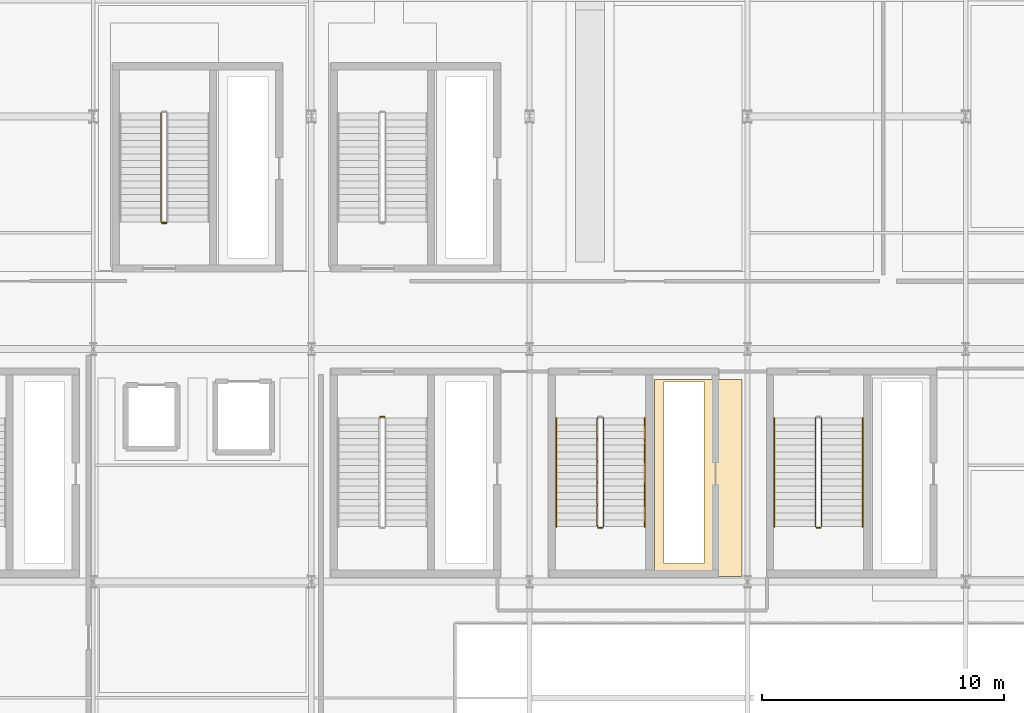
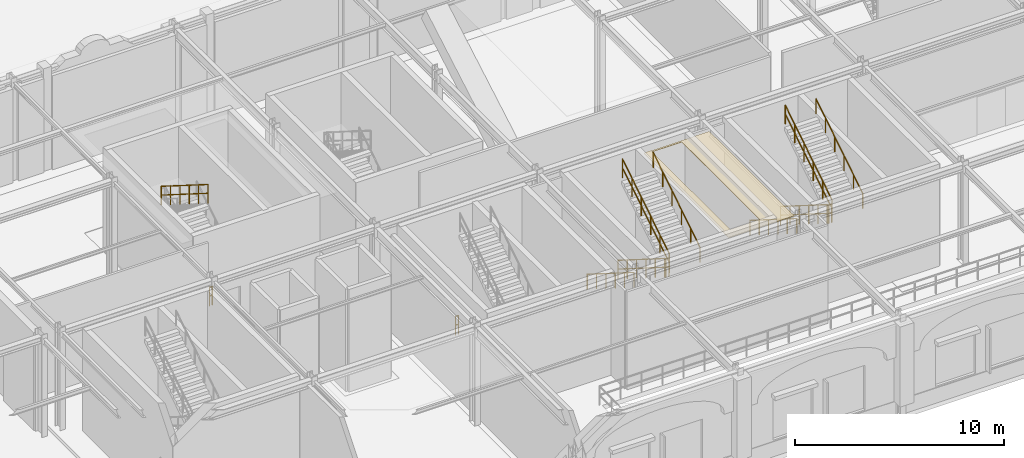
# One storey, part 100 of 113: 13 railings, 1 covering.
"""IFC4 building model written with IfcOpenShell, lengths in metres."""

from ifc_helpers import new_model, si_unit, direction, frame, origin, origin_2d, place, context, subcontext, project, spatial, polyline, rectangle, outline, extrude, material, layer, layer_set, type_object, element, save


model = new_model("IFC4")

# Units and contexts
model_context = context("Model", 3, precision=1e-05, world=origin(), true_north=direction((0.0, 1.0)))
body_context = subcontext(model_context, "Body", "Model", "MODEL_VIEW")
ifc_project = project(units=[si_unit("LENGTHUNIT", "METRE"), si_unit("AREAUNIT", "SQUARE_METRE"), si_unit("VOLUMEUNIT", "CUBIC_METRE"), si_unit("PLANEANGLEUNIT", "RADIAN"), si_unit("MASSUNIT", "GRAM", prefix="KILO")], contexts=[model_context])

# Site, building, storey
site_placement = place(None, origin())
site = spatial("IfcSite", under=ifc_project, at=site_placement, CompositionType="ELEMENT")
building_placement = place(site_placement, origin())
building = spatial("IfcBuilding", under=site, at=building_placement, Name="Myrtia Square Station", CompositionType="ELEMENT")
storey_placement = place(building_placement, origin())
storey = spatial("IfcBuildingStorey", under=building, at=storey_placement, Name="L00", CompositionType="ELEMENT", Elevation=0.0)

# Covering
ifc_material_1 = material(Name="Gypsum plasterboard")
ifc_layer = layer(ifc_material_1, 0.034912109375, Name="Gypsum plasterboard")
ifc_layer_set = layer_set([ifc_layer], Name="Gypsum plasterboard")
covering_type = type_object("IfcCoveringType", Name="COV-CEIL-ACOUSTIC", PredefinedType="CEILING", material=ifc_layer_set)
covering_placement = place(storey_placement, frame((0.0, 0.0, 5.715087890625)))
element("IfcCovering", 1, at=covering_placement, inside=storey, type_object=covering_type, Name="Acoustic coffer ceiling L00-14", PredefinedType="CEILING", context=body_context, shape_type="SweptSolid", body=[
    extrude(outline(polyline([(149.159912109375, 17.949951171875), (152.780029296875, 17.949951171875), (152.780029296875, 9.820068359375), (149.159912109375, 9.820068359375), (149.159912109375, 17.949951171875)]), holes=[polyline([(151.199951171875, 17.85009765625), (149.550048828125, 17.85009765625), (149.550048828125, 10.35009765625), (151.199951171875, 10.35009765625), (151.199951171875, 17.85009765625)])]), origin(), (0.0, 0.0, 1.0), 0.034912109375),
])

# Railings
ifc_material_2 = material(Name="Dark bronze anodised aluminium", Category="aluminium")
railing_type_1 = type_object("IfcRailingType", Name="RL-HANDRAIL-900", PredefinedType="HANDRAIL", material=ifc_material_2)
railing_1_placement = place(storey_placement, frame((145.10009765625, 16.35009765625, 0.176513671875)))
element("IfcRailing", 2, at=railing_1_placement, inside=storey, type_object=railing_type_1, Name="L00 ST11 stair handrail 1", PredefinedType="HANDRAIL", context=body_context, shape_type="SweptSolid", body=[
    extrude(rectangle(XDim=0.048095703125, YDim=0.048095703125, at=origin_2d()), frame((0.0, -0.029296875, 0.894287109375), z_axis=(0.0, -0.845997938375, 0.533186166611), x_axis=(1.0, 0.0, 0.0)), (0.0, 0.0, 1.0), 0.98974609375),
    extrude(rectangle(XDim=0.048095703125, YDim=0.048095703125, at=origin_2d()), frame((0.0, -0.92529296875, 1.458984375), z_axis=(0.0, -0.845997938375, 0.533186166611), x_axis=(1.0, 0.0, 0.0)), (0.0, 0.0, 1.0), 0.98974609375),
    extrude(rectangle(XDim=0.048095703125, YDim=0.048095703125, at=origin_2d()), frame((0.0, -1.8212890625, 2.023681640625), z_axis=(0.0, -0.845997938375, 0.533186166611), x_axis=(1.0, 0.0, 0.0)), (0.0, 0.0, 1.0), 0.98974609375),
    extrude(rectangle(XDim=0.048095703125, YDim=0.048095703125, at=origin_2d()), frame((0.0, -2.71728515625, 2.58837890625), z_axis=(0.0, -0.845997938375, 0.533186166611), x_axis=(1.0, 0.0, 0.0)), (0.0, 0.0, 1.0), 0.98974609375),
    extrude(rectangle(XDim=0.048095703125, YDim=0.048095703125, at=origin_2d()), frame((0.0, -3.61328125, 3.153076171875), z_axis=(0.0, -0.845997938375, 0.533186166611), x_axis=(1.0, 0.0, 0.0)), (0.0, 0.0, 1.0), 0.98974609375),
    extrude(rectangle(XDim=0.0439453125, YDim=0.0439453125, at=origin_2d()), origin(), (0.0, 0.0, 1.0), 0.89990234375),
    extrude(rectangle(XDim=0.0439453125, YDim=0.0439453125, at=origin_2d()), frame((0.0, -0.89599609375, 0.564697265625)), (0.0, 0.0, 1.0), 0.89990234375),
    extrude(rectangle(XDim=0.0439453125, YDim=0.0439453125, at=origin_2d()), frame((0.0, -1.7919921875, 1.12939453125)), (0.0, 0.0, 1.0), 0.89990234375),
    extrude(rectangle(XDim=0.0439453125, YDim=0.0439453125, at=origin_2d()), frame((0.0, -2.68798828125, 1.694091796875)), (0.0, 0.0, 1.0), 0.89990234375),
    extrude(rectangle(XDim=0.0439453125, YDim=0.0439453125, at=origin_2d()), frame((0.0, -3.583984375, 2.2587890625)), (0.0, 0.0, 1.0), 0.89990234375),
    extrude(rectangle(XDim=0.0439453125, YDim=0.0439453125, at=origin_2d()), frame((0.0, -4.47998046875, 2.823486328125)), (0.0, 0.0, 1.0), 0.89990234375),
])
railing_2_placement = place(storey_placement, frame((148.760009765625, 11.8701171875, 3.176513671875)))
element("IfcRailing", 3, at=railing_2_placement, inside=storey, type_object=railing_type_1, Name="L00 ST11 stair handrail 2", PredefinedType="HANDRAIL", context=body_context, shape_type="SweptSolid", body=[
    extrude(rectangle(XDim=0.048095703125, YDim=0.048095703125, at=origin_2d()), frame((0.0, 0.029296875, 0.894287109375), z_axis=(0.0, 0.845997938375, 0.533186166611), x_axis=(-1.0, 0.0, 0.0)), (0.0, 0.0, 1.0), 0.98974609375),
    extrude(rectangle(XDim=0.048095703125, YDim=0.048095703125, at=origin_2d()), frame((0.0, 0.92529296875, 1.458984375), z_axis=(0.0, 0.845997938375, 0.533186166611), x_axis=(-1.0, 0.0, 0.0)), (0.0, 0.0, 1.0), 0.98974609375),
    extrude(rectangle(XDim=0.048095703125, YDim=0.048095703125, at=origin_2d()), frame((0.0, 1.8212890625, 2.023681640625), z_axis=(0.0, 0.845997938375, 0.533186166611), x_axis=(-1.0, 0.0, 0.0)), (0.0, 0.0, 1.0), 0.98974609375),
    extrude(rectangle(XDim=0.048095703125, YDim=0.048095703125, at=origin_2d()), frame((0.0, 2.71728515625, 2.58837890625), z_axis=(0.0, 0.845997938375, 0.533186166611), x_axis=(-1.0, 0.0, 0.0)), (0.0, 0.0, 1.0), 0.98974609375),
    extrude(rectangle(XDim=0.048095703125, YDim=0.048095703125, at=origin_2d()), frame((0.0, 3.61328125, 3.153076171875), z_axis=(0.0, 0.845997938375, 0.533186166611), x_axis=(-1.0, 0.0, 0.0)), (0.0, 0.0, 1.0), 0.98974609375),
    extrude(rectangle(XDim=0.0439453125, YDim=0.0439453125, at=origin_2d()), origin(), (0.0, 0.0, 1.0), 0.89990234375),
    extrude(rectangle(XDim=0.0439453125, YDim=0.0439453125, at=origin_2d()), frame((0.0, 0.89599609375, 0.564697265625)), (0.0, 0.0, 1.0), 0.89990234375),
    extrude(rectangle(XDim=0.0439453125, YDim=0.0439453125, at=origin_2d()), frame((0.0, 1.7919921875, 1.12939453125)), (0.0, 0.0, 1.0), 0.89990234375),
    extrude(rectangle(XDim=0.0439453125, YDim=0.0439453125, at=origin_2d()), frame((0.0, 2.68798828125, 1.694091796875)), (0.0, 0.0, 1.0), 0.89990234375),
    extrude(rectangle(XDim=0.0439453125, YDim=0.0439453125, at=origin_2d()), frame((0.0, 3.583984375, 2.2587890625)), (0.0, 0.0, 1.0), 0.89990234375),
    extrude(rectangle(XDim=0.0439453125, YDim=0.0439453125, at=origin_2d()), frame((0.0, 4.47998046875, 2.823486328125)), (0.0, 0.0, 1.0), 0.89990234375),
])
railing_3_placement = place(storey_placement, frame((154.10009765625, 16.35009765625, 0.176513671875)))
element("IfcRailing", 4, at=railing_3_placement, inside=storey, type_object=railing_type_1, Name="L00 ST14 stair handrail 1", PredefinedType="HANDRAIL", context=body_context, shape_type="SweptSolid", body=[
    extrude(rectangle(XDim=0.048095703125, YDim=0.048095703125, at=origin_2d()), frame((0.0, -0.029296875, 0.894287109375), z_axis=(0.0, -0.845997938375, 0.533186166611), x_axis=(1.0, 0.0, 0.0)), (0.0, 0.0, 1.0), 0.98974609375),
    extrude(rectangle(XDim=0.048095703125, YDim=0.048095703125, at=origin_2d()), frame((0.0, -0.92529296875, 1.458984375), z_axis=(0.0, -0.845997938375, 0.533186166611), x_axis=(1.0, 0.0, 0.0)), (0.0, 0.0, 1.0), 0.98974609375),
    extrude(rectangle(XDim=0.048095703125, YDim=0.048095703125, at=origin_2d()), frame((0.0, -1.8212890625, 2.023681640625), z_axis=(0.0, -0.845997938375, 0.533186166611), x_axis=(1.0, 0.0, 0.0)), (0.0, 0.0, 1.0), 0.98974609375),
    extrude(rectangle(XDim=0.048095703125, YDim=0.048095703125, at=origin_2d()), frame((0.0, -2.71728515625, 2.58837890625), z_axis=(0.0, -0.845997938375, 0.533186166611), x_axis=(1.0, 0.0, 0.0)), (0.0, 0.0, 1.0), 0.98974609375),
    extrude(rectangle(XDim=0.048095703125, YDim=0.048095703125, at=origin_2d()), frame((0.0, -3.61328125, 3.153076171875), z_axis=(0.0, -0.845997938375, 0.533186166611), x_axis=(1.0, 0.0, 0.0)), (0.0, 0.0, 1.0), 0.98974609375),
    extrude(rectangle(XDim=0.0439453125, YDim=0.0439453125, at=origin_2d()), origin(), (0.0, 0.0, 1.0), 0.89990234375),
    extrude(rectangle(XDim=0.0439453125, YDim=0.0439453125, at=origin_2d()), frame((0.0, -0.89599609375, 0.564697265625)), (0.0, 0.0, 1.0), 0.89990234375),
    extrude(rectangle(XDim=0.0439453125, YDim=0.0439453125, at=origin_2d()), frame((0.0, -1.7919921875, 1.12939453125)), (0.0, 0.0, 1.0), 0.89990234375),
    extrude(rectangle(XDim=0.0439453125, YDim=0.0439453125, at=origin_2d()), frame((0.0, -2.68798828125, 1.694091796875)), (0.0, 0.0, 1.0), 0.89990234375),
    extrude(rectangle(XDim=0.0439453125, YDim=0.0439453125, at=origin_2d()), frame((0.0, -3.583984375, 2.2587890625)), (0.0, 0.0, 1.0), 0.89990234375),
    extrude(rectangle(XDim=0.0439453125, YDim=0.0439453125, at=origin_2d()), frame((0.0, -4.47998046875, 2.823486328125)), (0.0, 0.0, 1.0), 0.89990234375),
])
railing_4_placement = place(storey_placement, frame((157.760009765625, 11.8701171875, 3.176513671875)))
element("IfcRailing", 5, at=railing_4_placement, inside=storey, type_object=railing_type_1, Name="L00 ST14 stair handrail 2", PredefinedType="HANDRAIL", context=body_context, shape_type="SweptSolid", body=[
    extrude(rectangle(XDim=0.048095703125, YDim=0.048095703125, at=origin_2d()), frame((0.0, 0.029296875, 0.894287109375), z_axis=(0.0, 0.845997938375, 0.533186166611), x_axis=(-1.0, 0.0, 0.0)), (0.0, 0.0, 1.0), 0.98974609375),
    extrude(rectangle(XDim=0.048095703125, YDim=0.048095703125, at=origin_2d()), frame((0.0, 0.92529296875, 1.458984375), z_axis=(0.0, 0.845997938375, 0.533186166611), x_axis=(-1.0, 0.0, 0.0)), (0.0, 0.0, 1.0), 0.98974609375),
    extrude(rectangle(XDim=0.048095703125, YDim=0.048095703125, at=origin_2d()), frame((0.0, 1.8212890625, 2.023681640625), z_axis=(0.0, 0.845997938375, 0.533186166611), x_axis=(-1.0, 0.0, 0.0)), (0.0, 0.0, 1.0), 0.98974609375),
    extrude(rectangle(XDim=0.048095703125, YDim=0.048095703125, at=origin_2d()), frame((0.0, 2.71728515625, 2.58837890625), z_axis=(0.0, 0.845997938375, 0.533186166611), x_axis=(-1.0, 0.0, 0.0)), (0.0, 0.0, 1.0), 0.98974609375),
    extrude(rectangle(XDim=0.048095703125, YDim=0.048095703125, at=origin_2d()), frame((0.0, 3.61328125, 3.153076171875), z_axis=(0.0, 0.845997938375, 0.533186166611), x_axis=(-1.0, 0.0, 0.0)), (0.0, 0.0, 1.0), 0.98974609375),
    extrude(rectangle(XDim=0.0439453125, YDim=0.0439453125, at=origin_2d()), origin(), (0.0, 0.0, 1.0), 0.89990234375),
    extrude(rectangle(XDim=0.0439453125, YDim=0.0439453125, at=origin_2d()), frame((0.0, 0.89599609375, 0.564697265625)), (0.0, 0.0, 1.0), 0.89990234375),
    extrude(rectangle(XDim=0.0439453125, YDim=0.0439453125, at=origin_2d()), frame((0.0, 1.7919921875, 1.12939453125)), (0.0, 0.0, 1.0), 0.89990234375),
    extrude(rectangle(XDim=0.0439453125, YDim=0.0439453125, at=origin_2d()), frame((0.0, 2.68798828125, 1.694091796875)), (0.0, 0.0, 1.0), 0.89990234375),
    extrude(rectangle(XDim=0.0439453125, YDim=0.0439453125, at=origin_2d()), frame((0.0, 3.583984375, 2.2587890625)), (0.0, 0.0, 1.0), 0.89990234375),
    extrude(rectangle(XDim=0.0439453125, YDim=0.0439453125, at=origin_2d()), frame((0.0, 4.47998046875, 2.823486328125)), (0.0, 0.0, 1.0), 0.89990234375),
])
ifc_material_3 = material(Name="Wrought iron", Category="steel")
railing_type_2 = type_object("IfcRailingType", Name="RL-INT-GUARD-1100", PredefinedType="BALUSTRADE", material=ifc_material_3)
railing_5_placement = place(storey_placement, frame((137.85009765625, 16.39990234375, 0.0)))
element("IfcRailing", 6, at=railing_5_placement, inside=storey, type_object=railing_type_2, Name="L00 ST06 stair guard 4", PredefinedType="BALUSTRADE", context=body_context, shape_type="SweptSolid", body=[
    extrude(rectangle(XDim=0.048095703125, YDim=0.048095703125, at=origin_2d()), frame((0.03466796875, 0.0, 1.09619140625), z_axis=(1.0, 0.0, 0.0), x_axis=(0.0, 1.0, 0.0)), (0.0, 0.0, 1.0), 0.090576171875),
    extrude(rectangle(XDim=0.048095703125, YDim=0.048095703125, at=origin_2d()), frame((0.03466796875, 0.0, 0.58251953125), z_axis=(1.0, 0.0, 0.0), x_axis=(0.0, 1.0, 0.0)), (0.0, 0.0, 1.0), 0.090576171875),
    extrude(rectangle(XDim=0.0439453125, YDim=0.0439453125, at=origin_2d()), origin(), (0.0, 0.0, 1.0), 1.1201171875),
    extrude(rectangle(XDim=0.0439453125, YDim=0.0439453125, at=origin_2d()), frame((0.159912109375, 0.0, 0.0)), (0.0, 0.0, 1.0), 1.1201171875),
])
railing_6_placement = place(storey_placement, frame((128.800048828125, 28.929931640625, 3.176513671875)))
element("IfcRailing", 7, at=railing_6_placement, inside=storey, type_object=railing_type_2, Name="L00 ST10 stair guard 3", PredefinedType="BALUSTRADE", context=body_context, shape_type="SweptSolid", body=[
    extrude(rectangle(XDim=0.048095703125, YDim=0.048095703125, at=origin_2d()), frame((0.0, -0.029296875, 1.114501953125), z_axis=(0.0, -0.845997938375, 0.533186166611), x_axis=(1.0, 0.0, 0.0)), (0.0, 0.0, 1.0), 0.98974609375),
    extrude(rectangle(XDim=0.048095703125, YDim=0.048095703125, at=origin_2d()), frame((0.0, -0.029296875, 0.600830078125), z_axis=(0.0, -0.845997938375, 0.533186166611), x_axis=(1.0, 0.0, 0.0)), (0.0, 0.0, 1.0), 0.98974609375),
    extrude(rectangle(XDim=0.048095703125, YDim=0.048095703125, at=origin_2d()), frame((0.0, -0.92529296875, 1.67919921875), z_axis=(0.0, -0.845997938375, 0.533186166611), x_axis=(1.0, 0.0, 0.0)), (0.0, 0.0, 1.0), 0.98974609375),
    extrude(rectangle(XDim=0.048095703125, YDim=0.048095703125, at=origin_2d()), frame((0.0, -0.92529296875, 1.16552734375), z_axis=(0.0, -0.845997938375, 0.533186166611), x_axis=(1.0, 0.0, 0.0)), (0.0, 0.0, 1.0), 0.98974609375),
    extrude(rectangle(XDim=0.048095703125, YDim=0.048095703125, at=origin_2d()), frame((0.0, -1.8212890625, 2.243896484375), z_axis=(0.0, -0.845997938375, 0.533186166611), x_axis=(1.0, 0.0, 0.0)), (0.0, 0.0, 1.0), 0.98974609375),
    extrude(rectangle(XDim=0.048095703125, YDim=0.048095703125, at=origin_2d()), frame((0.0, -1.8212890625, 1.730224609375), z_axis=(0.0, -0.845997938375, 0.533186166611), x_axis=(1.0, 0.0, 0.0)), (0.0, 0.0, 1.0), 0.98974609375),
    extrude(rectangle(XDim=0.048095703125, YDim=0.048095703125, at=origin_2d()), frame((0.0, -2.71728515625, 2.80859375), z_axis=(0.0, -0.845997938375, 0.533186166611), x_axis=(1.0, 0.0, 0.0)), (0.0, 0.0, 1.0), 0.98974609375),
    extrude(rectangle(XDim=0.048095703125, YDim=0.048095703125, at=origin_2d()), frame((0.0, -2.71728515625, 2.294921875), z_axis=(0.0, -0.845997938375, 0.533186166611), x_axis=(1.0, 0.0, 0.0)), (0.0, 0.0, 1.0), 0.98974609375),
    extrude(rectangle(XDim=0.048095703125, YDim=0.048095703125, at=origin_2d()), frame((0.0, -3.61328125, 3.373291015625), z_axis=(0.0, -0.845997938375, 0.533186166611), x_axis=(1.0, 0.0, 0.0)), (0.0, 0.0, 1.0), 0.98974609375),
    extrude(rectangle(XDim=0.048095703125, YDim=0.048095703125, at=origin_2d()), frame((0.0, -3.61328125, 2.859619140625), z_axis=(0.0, -0.845997938375, 0.533186166611), x_axis=(1.0, 0.0, 0.0)), (0.0, 0.0, 1.0), 0.98974609375),
    extrude(rectangle(XDim=0.0439453125, YDim=0.0439453125, at=origin_2d()), origin(), (0.0, 0.0, 1.0), 1.1201171875),
    extrude(rectangle(XDim=0.0439453125, YDim=0.0439453125, at=origin_2d()), frame((0.0, -0.89599609375, 0.564697265625)), (0.0, 0.0, 1.0), 1.1201171875),
    extrude(rectangle(XDim=0.0439453125, YDim=0.0439453125, at=origin_2d()), frame((0.0, -1.7919921875, 1.12939453125)), (0.0, 0.0, 1.0), 1.1201171875),
    extrude(rectangle(XDim=0.0439453125, YDim=0.0439453125, at=origin_2d()), frame((0.0, -2.68798828125, 1.694091796875)), (0.0, 0.0, 1.0), 1.1201171875),
    extrude(rectangle(XDim=0.0439453125, YDim=0.0439453125, at=origin_2d()), frame((0.0, -3.583984375, 2.2587890625)), (0.0, 0.0, 1.0), 1.1201171875),
    extrude(rectangle(XDim=0.0439453125, YDim=0.0439453125, at=origin_2d()), frame((0.0, -4.47998046875, 2.823486328125)), (0.0, 0.0, 1.0), 1.1201171875),
])
railing_7_placement = place(storey_placement, frame((129.010009765625, 24.39990234375, 0.0)))
element("IfcRailing", 8, at=railing_7_placement, inside=storey, type_object=railing_type_2, Name="L00 ST10 stair guard 4", PredefinedType="BALUSTRADE", context=body_context, shape_type="SweptSolid", body=[
    extrude(rectangle(XDim=0.048095703125, YDim=0.048095703125, at=origin_2d()), frame((-0.03466796875, 0.0, 1.09619140625), z_axis=(-1.0, 0.0, 0.0), x_axis=(0.0, -1.0, 0.0)), (0.0, 0.0, 1.0), 0.090576171875),
    extrude(rectangle(XDim=0.048095703125, YDim=0.048095703125, at=origin_2d()), frame((-0.03466796875, 0.0, 0.58251953125), z_axis=(-1.0, 0.0, 0.0), x_axis=(0.0, -1.0, 0.0)), (0.0, 0.0, 1.0), 0.090576171875),
    extrude(rectangle(XDim=0.0439453125, YDim=0.0439453125, at=origin_2d()), origin(), (0.0, 0.0, 1.0), 1.1201171875),
    extrude(rectangle(XDim=0.0439453125, YDim=0.0439453125, at=origin_2d()), frame((-0.159912109375, 0.0, 0.0)), (0.0, 0.0, 1.0), 1.1201171875),
])
railing_8_placement = place(storey_placement, frame((146.800048828125, 16.35009765625, 0.176513671875)))
element("IfcRailing", 9, at=railing_8_placement, inside=storey, type_object=railing_type_2, Name="L00 ST11 stair guard 1", PredefinedType="BALUSTRADE", context=body_context, shape_type="SweptSolid", body=[
    extrude(rectangle(XDim=0.048095703125, YDim=0.048095703125, at=origin_2d()), frame((0.0, -0.029296875, 1.114501953125), z_axis=(0.0, -0.845997938375, 0.533186166611), x_axis=(1.0, 0.0, 0.0)), (0.0, 0.0, 1.0), 0.98974609375),
    extrude(rectangle(XDim=0.048095703125, YDim=0.048095703125, at=origin_2d()), frame((0.0, -0.029296875, 0.600830078125), z_axis=(0.0, -0.845997938375, 0.533186166611), x_axis=(1.0, 0.0, 0.0)), (0.0, 0.0, 1.0), 0.98974609375),
    extrude(rectangle(XDim=0.048095703125, YDim=0.048095703125, at=origin_2d()), frame((0.0, -0.92529296875, 1.67919921875), z_axis=(0.0, -0.845997938375, 0.533186166611), x_axis=(1.0, 0.0, 0.0)), (0.0, 0.0, 1.0), 0.98974609375),
    extrude(rectangle(XDim=0.048095703125, YDim=0.048095703125, at=origin_2d()), frame((0.0, -0.92529296875, 1.16552734375), z_axis=(0.0, -0.845997938375, 0.533186166611), x_axis=(1.0, 0.0, 0.0)), (0.0, 0.0, 1.0), 0.98974609375),
    extrude(rectangle(XDim=0.048095703125, YDim=0.048095703125, at=origin_2d()), frame((0.0, -1.8212890625, 2.243896484375), z_axis=(0.0, -0.845997938375, 0.533186166611), x_axis=(1.0, 0.0, 0.0)), (0.0, 0.0, 1.0), 0.98974609375),
    extrude(rectangle(XDim=0.048095703125, YDim=0.048095703125, at=origin_2d()), frame((0.0, -1.8212890625, 1.730224609375), z_axis=(0.0, -0.845997938375, 0.533186166611), x_axis=(1.0, 0.0, 0.0)), (0.0, 0.0, 1.0), 0.98974609375),
    extrude(rectangle(XDim=0.048095703125, YDim=0.048095703125, at=origin_2d()), frame((0.0, -2.71728515625, 2.80859375), z_axis=(0.0, -0.845997938375, 0.533186166611), x_axis=(1.0, 0.0, 0.0)), (0.0, 0.0, 1.0), 0.98974609375),
    extrude(rectangle(XDim=0.048095703125, YDim=0.048095703125, at=origin_2d()), frame((0.0, -2.71728515625, 2.294921875), z_axis=(0.0, -0.845997938375, 0.533186166611), x_axis=(1.0, 0.0, 0.0)), (0.0, 0.0, 1.0), 0.98974609375),
    extrude(rectangle(XDim=0.048095703125, YDim=0.048095703125, at=origin_2d()), frame((0.0, -3.61328125, 3.373291015625), z_axis=(0.0, -0.845997938375, 0.533186166611), x_axis=(1.0, 0.0, 0.0)), (0.0, 0.0, 1.0), 0.98974609375),
    extrude(rectangle(XDim=0.048095703125, YDim=0.048095703125, at=origin_2d()), frame((0.0, -3.61328125, 2.859619140625), z_axis=(0.0, -0.845997938375, 0.533186166611), x_axis=(1.0, 0.0, 0.0)), (0.0, 0.0, 1.0), 0.98974609375),
    extrude(rectangle(XDim=0.0439453125, YDim=0.0439453125, at=origin_2d()), origin(), (0.0, 0.0, 1.0), 1.1201171875),
    extrude(rectangle(XDim=0.0439453125, YDim=0.0439453125, at=origin_2d()), frame((0.0, -0.89599609375, 0.564697265625)), (0.0, 0.0, 1.0), 1.1201171875),
    extrude(rectangle(XDim=0.0439453125, YDim=0.0439453125, at=origin_2d()), frame((0.0, -1.7919921875, 1.12939453125)), (0.0, 0.0, 1.0), 1.1201171875),
    extrude(rectangle(XDim=0.0439453125, YDim=0.0439453125, at=origin_2d()), frame((0.0, -2.68798828125, 1.694091796875)), (0.0, 0.0, 1.0), 1.1201171875),
    extrude(rectangle(XDim=0.0439453125, YDim=0.0439453125, at=origin_2d()), frame((0.0, -3.583984375, 2.2587890625)), (0.0, 0.0, 1.0), 1.1201171875),
    extrude(rectangle(XDim=0.0439453125, YDim=0.0439453125, at=origin_2d()), frame((0.0, -4.47998046875, 2.823486328125)), (0.0, 0.0, 1.0), 1.1201171875),
])
railing_9_placement = place(storey_placement, frame((146.85009765625, 11.820068359375, 3.0)))
element("IfcRailing", 10, at=railing_9_placement, inside=storey, type_object=railing_type_2, Name="L00 ST11 stair guard 2", PredefinedType="BALUSTRADE", context=body_context, shape_type="SweptSolid", body=[
    extrude(rectangle(XDim=0.048095703125, YDim=0.048095703125, at=origin_2d()), frame((0.03466796875, 0.0, 1.09619140625), z_axis=(1.0, 0.0, 0.0), x_axis=(0.0, 1.0, 0.0)), (0.0, 0.0, 1.0), 0.090576171875),
    extrude(rectangle(XDim=0.048095703125, YDim=0.048095703125, at=origin_2d()), frame((0.03466796875, 0.0, 0.58251953125), z_axis=(1.0, 0.0, 0.0), x_axis=(0.0, 1.0, 0.0)), (0.0, 0.0, 1.0), 0.090576171875),
    extrude(rectangle(XDim=0.0439453125, YDim=0.0439453125, at=origin_2d()), origin(), (0.0, 0.0, 1.0), 1.1201171875),
    extrude(rectangle(XDim=0.0439453125, YDim=0.0439453125, at=origin_2d()), frame((0.159912109375, 0.0, 0.0)), (0.0, 0.0, 1.0), 1.1201171875),
])
railing_10_placement = place(storey_placement, frame((147.06005859375, 11.8701171875, 3.176513671875)))
element("IfcRailing", 11, at=railing_10_placement, inside=storey, type_object=railing_type_2, Name="L00 ST11 stair guard 3", PredefinedType="BALUSTRADE", context=body_context, shape_type="SweptSolid", body=[
    extrude(rectangle(XDim=0.048095703125, YDim=0.048095703125, at=origin_2d()), frame((0.0, 0.029296875, 1.114501953125), z_axis=(0.0, 0.845997938375, 0.533186166611), x_axis=(-1.0, 0.0, 0.0)), (0.0, 0.0, 1.0), 0.98974609375),
    extrude(rectangle(XDim=0.048095703125, YDim=0.048095703125, at=origin_2d()), frame((0.0, 0.029296875, 0.600830078125), z_axis=(0.0, 0.845997938375, 0.533186166611), x_axis=(-1.0, 0.0, 0.0)), (0.0, 0.0, 1.0), 0.98974609375),
    extrude(rectangle(XDim=0.048095703125, YDim=0.048095703125, at=origin_2d()), frame((0.0, 0.92529296875, 1.67919921875), z_axis=(0.0, 0.845997938375, 0.533186166611), x_axis=(-1.0, 0.0, 0.0)), (0.0, 0.0, 1.0), 0.98974609375),
    extrude(rectangle(XDim=0.048095703125, YDim=0.048095703125, at=origin_2d()), frame((0.0, 0.92529296875, 1.16552734375), z_axis=(0.0, 0.845997938375, 0.533186166611), x_axis=(-1.0, 0.0, 0.0)), (0.0, 0.0, 1.0), 0.98974609375),
    extrude(rectangle(XDim=0.048095703125, YDim=0.048095703125, at=origin_2d()), frame((0.0, 1.8212890625, 2.243896484375), z_axis=(0.0, 0.845997938375, 0.533186166611), x_axis=(-1.0, 0.0, 0.0)), (0.0, 0.0, 1.0), 0.98974609375),
    extrude(rectangle(XDim=0.048095703125, YDim=0.048095703125, at=origin_2d()), frame((0.0, 1.8212890625, 1.730224609375), z_axis=(0.0, 0.845997938375, 0.533186166611), x_axis=(-1.0, 0.0, 0.0)), (0.0, 0.0, 1.0), 0.98974609375),
    extrude(rectangle(XDim=0.048095703125, YDim=0.048095703125, at=origin_2d()), frame((0.0, 2.71728515625, 2.80859375), z_axis=(0.0, 0.845997938375, 0.533186166611), x_axis=(-1.0, 0.0, 0.0)), (0.0, 0.0, 1.0), 0.98974609375),
    extrude(rectangle(XDim=0.048095703125, YDim=0.048095703125, at=origin_2d()), frame((0.0, 2.71728515625, 2.294921875), z_axis=(0.0, 0.845997938375, 0.533186166611), x_axis=(-1.0, 0.0, 0.0)), (0.0, 0.0, 1.0), 0.98974609375),
    extrude(rectangle(XDim=0.048095703125, YDim=0.048095703125, at=origin_2d()), frame((0.0, 3.61328125, 3.373291015625), z_axis=(0.0, 0.845997938375, 0.533186166611), x_axis=(-1.0, 0.0, 0.0)), (0.0, 0.0, 1.0), 0.98974609375),
    extrude(rectangle(XDim=0.048095703125, YDim=0.048095703125, at=origin_2d()), frame((0.0, 3.61328125, 2.859619140625), z_axis=(0.0, 0.845997938375, 0.533186166611), x_axis=(-1.0, 0.0, 0.0)), (0.0, 0.0, 1.0), 0.98974609375),
    extrude(rectangle(XDim=0.0439453125, YDim=0.0439453125, at=origin_2d()), origin(), (0.0, 0.0, 1.0), 1.1201171875),
    extrude(rectangle(XDim=0.0439453125, YDim=0.0439453125, at=origin_2d()), frame((0.0, 0.89599609375, 0.564697265625)), (0.0, 0.0, 1.0), 1.1201171875),
    extrude(rectangle(XDim=0.0439453125, YDim=0.0439453125, at=origin_2d()), frame((0.0, 1.7919921875, 1.12939453125)), (0.0, 0.0, 1.0), 1.1201171875),
    extrude(rectangle(XDim=0.0439453125, YDim=0.0439453125, at=origin_2d()), frame((0.0, 2.68798828125, 1.694091796875)), (0.0, 0.0, 1.0), 1.1201171875),
    extrude(rectangle(XDim=0.0439453125, YDim=0.0439453125, at=origin_2d()), frame((0.0, 3.583984375, 2.2587890625)), (0.0, 0.0, 1.0), 1.1201171875),
    extrude(rectangle(XDim=0.0439453125, YDim=0.0439453125, at=origin_2d()), frame((0.0, 4.47998046875, 2.823486328125)), (0.0, 0.0, 1.0), 1.1201171875),
])
railing_11_placement = place(storey_placement, frame((155.800048828125, 16.35009765625, 0.176513671875)))
element("IfcRailing", 12, at=railing_11_placement, inside=storey, type_object=railing_type_2, Name="L00 ST14 stair guard 1", PredefinedType="BALUSTRADE", context=body_context, shape_type="SweptSolid", body=[
    extrude(rectangle(XDim=0.048095703125, YDim=0.048095703125, at=origin_2d()), frame((0.0, -0.029296875, 1.114501953125), z_axis=(0.0, -0.845997938375, 0.533186166611), x_axis=(1.0, 0.0, 0.0)), (0.0, 0.0, 1.0), 0.98974609375),
    extrude(rectangle(XDim=0.048095703125, YDim=0.048095703125, at=origin_2d()), frame((0.0, -0.029296875, 0.600830078125), z_axis=(0.0, -0.845997938375, 0.533186166611), x_axis=(1.0, 0.0, 0.0)), (0.0, 0.0, 1.0), 0.98974609375),
    extrude(rectangle(XDim=0.048095703125, YDim=0.048095703125, at=origin_2d()), frame((0.0, -0.92529296875, 1.67919921875), z_axis=(0.0, -0.845997938375, 0.533186166611), x_axis=(1.0, 0.0, 0.0)), (0.0, 0.0, 1.0), 0.98974609375),
    extrude(rectangle(XDim=0.048095703125, YDim=0.048095703125, at=origin_2d()), frame((0.0, -0.92529296875, 1.16552734375), z_axis=(0.0, -0.845997938375, 0.533186166611), x_axis=(1.0, 0.0, 0.0)), (0.0, 0.0, 1.0), 0.98974609375),
    extrude(rectangle(XDim=0.048095703125, YDim=0.048095703125, at=origin_2d()), frame((0.0, -1.8212890625, 2.243896484375), z_axis=(0.0, -0.845997938375, 0.533186166611), x_axis=(1.0, 0.0, 0.0)), (0.0, 0.0, 1.0), 0.98974609375),
    extrude(rectangle(XDim=0.048095703125, YDim=0.048095703125, at=origin_2d()), frame((0.0, -1.8212890625, 1.730224609375), z_axis=(0.0, -0.845997938375, 0.533186166611), x_axis=(1.0, 0.0, 0.0)), (0.0, 0.0, 1.0), 0.98974609375),
    extrude(rectangle(XDim=0.048095703125, YDim=0.048095703125, at=origin_2d()), frame((0.0, -2.71728515625, 2.80859375), z_axis=(0.0, -0.845997938375, 0.533186166611), x_axis=(1.0, 0.0, 0.0)), (0.0, 0.0, 1.0), 0.98974609375),
    extrude(rectangle(XDim=0.048095703125, YDim=0.048095703125, at=origin_2d()), frame((0.0, -2.71728515625, 2.294921875), z_axis=(0.0, -0.845997938375, 0.533186166611), x_axis=(1.0, 0.0, 0.0)), (0.0, 0.0, 1.0), 0.98974609375),
    extrude(rectangle(XDim=0.048095703125, YDim=0.048095703125, at=origin_2d()), frame((0.0, -3.61328125, 3.373291015625), z_axis=(0.0, -0.845997938375, 0.533186166611), x_axis=(1.0, 0.0, 0.0)), (0.0, 0.0, 1.0), 0.98974609375),
    extrude(rectangle(XDim=0.048095703125, YDim=0.048095703125, at=origin_2d()), frame((0.0, -3.61328125, 2.859619140625), z_axis=(0.0, -0.845997938375, 0.533186166611), x_axis=(1.0, 0.0, 0.0)), (0.0, 0.0, 1.0), 0.98974609375),
    extrude(rectangle(XDim=0.0439453125, YDim=0.0439453125, at=origin_2d()), origin(), (0.0, 0.0, 1.0), 1.1201171875),
    extrude(rectangle(XDim=0.0439453125, YDim=0.0439453125, at=origin_2d()), frame((0.0, -0.89599609375, 0.564697265625)), (0.0, 0.0, 1.0), 1.1201171875),
    extrude(rectangle(XDim=0.0439453125, YDim=0.0439453125, at=origin_2d()), frame((0.0, -1.7919921875, 1.12939453125)), (0.0, 0.0, 1.0), 1.1201171875),
    extrude(rectangle(XDim=0.0439453125, YDim=0.0439453125, at=origin_2d()), frame((0.0, -2.68798828125, 1.694091796875)), (0.0, 0.0, 1.0), 1.1201171875),
    extrude(rectangle(XDim=0.0439453125, YDim=0.0439453125, at=origin_2d()), frame((0.0, -3.583984375, 2.2587890625)), (0.0, 0.0, 1.0), 1.1201171875),
    extrude(rectangle(XDim=0.0439453125, YDim=0.0439453125, at=origin_2d()), frame((0.0, -4.47998046875, 2.823486328125)), (0.0, 0.0, 1.0), 1.1201171875),
])
railing_12_placement = place(storey_placement, frame((155.85009765625, 11.820068359375, 3.0)))
element("IfcRailing", 13, at=railing_12_placement, inside=storey, type_object=railing_type_2, Name="L00 ST14 stair guard 2", PredefinedType="BALUSTRADE", context=body_context, shape_type="SweptSolid", body=[
    extrude(rectangle(XDim=0.048095703125, YDim=0.048095703125, at=origin_2d()), frame((0.03466796875, 0.0, 1.09619140625), z_axis=(1.0, 0.0, 0.0), x_axis=(0.0, 1.0, 0.0)), (0.0, 0.0, 1.0), 0.090576171875),
    extrude(rectangle(XDim=0.048095703125, YDim=0.048095703125, at=origin_2d()), frame((0.03466796875, 0.0, 0.58251953125), z_axis=(1.0, 0.0, 0.0), x_axis=(0.0, 1.0, 0.0)), (0.0, 0.0, 1.0), 0.090576171875),
    extrude(rectangle(XDim=0.0439453125, YDim=0.0439453125, at=origin_2d()), origin(), (0.0, 0.0, 1.0), 1.1201171875),
    extrude(rectangle(XDim=0.0439453125, YDim=0.0439453125, at=origin_2d()), frame((0.159912109375, 0.0, 0.0)), (0.0, 0.0, 1.0), 1.1201171875),
])
railing_13_placement = place(storey_placement, frame((156.06005859375, 11.8701171875, 3.176513671875)))
element("IfcRailing", 14, at=railing_13_placement, inside=storey, type_object=railing_type_2, Name="L00 ST14 stair guard 3", PredefinedType="BALUSTRADE", context=body_context, shape_type="SweptSolid", body=[
    extrude(rectangle(XDim=0.048095703125, YDim=0.048095703125, at=origin_2d()), frame((0.0, 0.029296875, 1.114501953125), z_axis=(0.0, 0.845997938375, 0.533186166611), x_axis=(-1.0, 0.0, 0.0)), (0.0, 0.0, 1.0), 0.98974609375),
    extrude(rectangle(XDim=0.048095703125, YDim=0.048095703125, at=origin_2d()), frame((0.0, 0.029296875, 0.600830078125), z_axis=(0.0, 0.845997938375, 0.533186166611), x_axis=(-1.0, 0.0, 0.0)), (0.0, 0.0, 1.0), 0.98974609375),
    extrude(rectangle(XDim=0.048095703125, YDim=0.048095703125, at=origin_2d()), frame((0.0, 0.92529296875, 1.67919921875), z_axis=(0.0, 0.845997938375, 0.533186166611), x_axis=(-1.0, 0.0, 0.0)), (0.0, 0.0, 1.0), 0.98974609375),
    extrude(rectangle(XDim=0.048095703125, YDim=0.048095703125, at=origin_2d()), frame((0.0, 0.92529296875, 1.16552734375), z_axis=(0.0, 0.845997938375, 0.533186166611), x_axis=(-1.0, 0.0, 0.0)), (0.0, 0.0, 1.0), 0.98974609375),
    extrude(rectangle(XDim=0.048095703125, YDim=0.048095703125, at=origin_2d()), frame((0.0, 1.8212890625, 2.243896484375), z_axis=(0.0, 0.845997938375, 0.533186166611), x_axis=(-1.0, 0.0, 0.0)), (0.0, 0.0, 1.0), 0.98974609375),
    extrude(rectangle(XDim=0.048095703125, YDim=0.048095703125, at=origin_2d()), frame((0.0, 1.8212890625, 1.730224609375), z_axis=(0.0, 0.845997938375, 0.533186166611), x_axis=(-1.0, 0.0, 0.0)), (0.0, 0.0, 1.0), 0.98974609375),
    extrude(rectangle(XDim=0.048095703125, YDim=0.048095703125, at=origin_2d()), frame((0.0, 2.71728515625, 2.80859375), z_axis=(0.0, 0.845997938375, 0.533186166611), x_axis=(-1.0, 0.0, 0.0)), (0.0, 0.0, 1.0), 0.98974609375),
    extrude(rectangle(XDim=0.048095703125, YDim=0.048095703125, at=origin_2d()), frame((0.0, 2.71728515625, 2.294921875), z_axis=(0.0, 0.845997938375, 0.533186166611), x_axis=(-1.0, 0.0, 0.0)), (0.0, 0.0, 1.0), 0.98974609375),
    extrude(rectangle(XDim=0.048095703125, YDim=0.048095703125, at=origin_2d()), frame((0.0, 3.61328125, 3.373291015625), z_axis=(0.0, 0.845997938375, 0.533186166611), x_axis=(-1.0, 0.0, 0.0)), (0.0, 0.0, 1.0), 0.98974609375),
    extrude(rectangle(XDim=0.048095703125, YDim=0.048095703125, at=origin_2d()), frame((0.0, 3.61328125, 2.859619140625), z_axis=(0.0, 0.845997938375, 0.533186166611), x_axis=(-1.0, 0.0, 0.0)), (0.0, 0.0, 1.0), 0.98974609375),
    extrude(rectangle(XDim=0.0439453125, YDim=0.0439453125, at=origin_2d()), origin(), (0.0, 0.0, 1.0), 1.1201171875),
    extrude(rectangle(XDim=0.0439453125, YDim=0.0439453125, at=origin_2d()), frame((0.0, 0.89599609375, 0.564697265625)), (0.0, 0.0, 1.0), 1.1201171875),
    extrude(rectangle(XDim=0.0439453125, YDim=0.0439453125, at=origin_2d()), frame((0.0, 1.7919921875, 1.12939453125)), (0.0, 0.0, 1.0), 1.1201171875),
    extrude(rectangle(XDim=0.0439453125, YDim=0.0439453125, at=origin_2d()), frame((0.0, 2.68798828125, 1.694091796875)), (0.0, 0.0, 1.0), 1.1201171875),
    extrude(rectangle(XDim=0.0439453125, YDim=0.0439453125, at=origin_2d()), frame((0.0, 3.583984375, 2.2587890625)), (0.0, 0.0, 1.0), 1.1201171875),
    extrude(rectangle(XDim=0.0439453125, YDim=0.0439453125, at=origin_2d()), frame((0.0, 4.47998046875, 2.823486328125)), (0.0, 0.0, 1.0), 1.1201171875),
])

save(model, "model.ifc")
